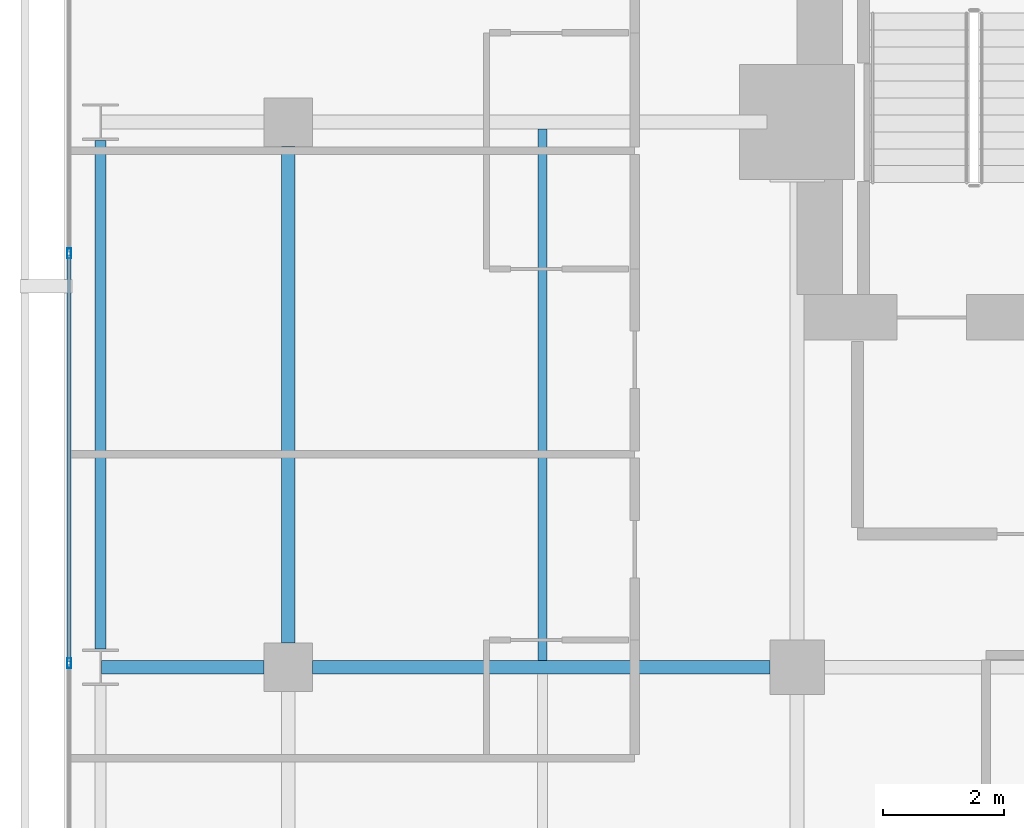
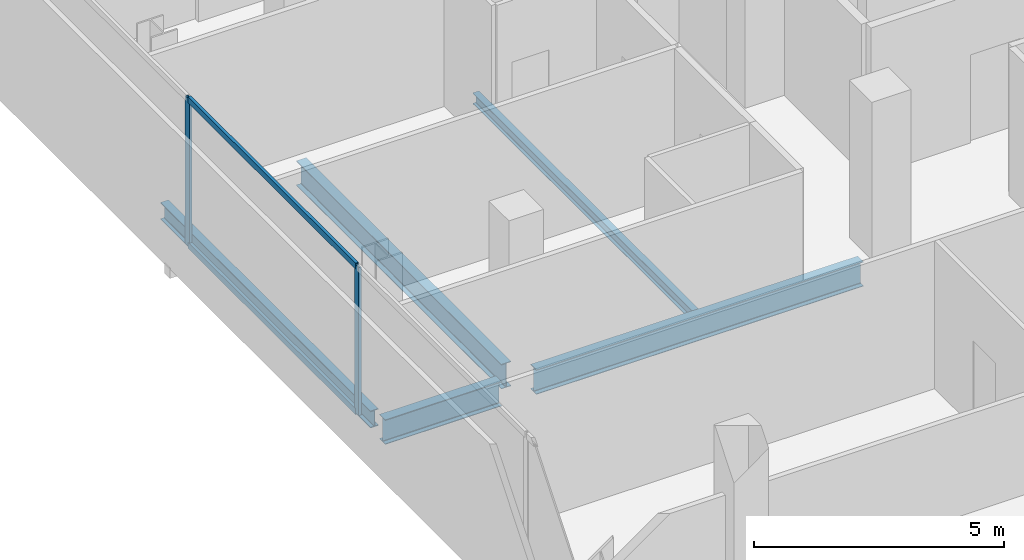
# One storey, part 18 of 34: 5 beams, 4 members, 1 element without a shape of its own.
"""IFC4 building model written with IfcOpenShell, lengths in metres."""

from ifc_helpers import new_model, si_unit, direction, frame, origin, origin_2d, place, context, subcontext, project, spatial, hollow_rectangle, i_section, extrude, material, layer, layer_set, material_profile, profile_set, type_object, element, aggregate, save


model = new_model("IFC4")

# Units and contexts
model_context = context("Model", 3, precision=1e-05, world=origin(), true_north=direction((0.0, 1.0)))
body_context = subcontext(model_context, "Body", "Model", "MODEL_VIEW")
ifc_project = project(units=[si_unit("LENGTHUNIT", "METRE"), si_unit("AREAUNIT", "SQUARE_METRE"), si_unit("VOLUMEUNIT", "CUBIC_METRE"), si_unit("PLANEANGLEUNIT", "RADIAN"), si_unit("MASSUNIT", "GRAM", prefix="KILO")], contexts=[model_context])

# Site, building, storey
site_placement = place(None, origin())
site = spatial("IfcSite", under=ifc_project, at=site_placement, CompositionType="ELEMENT")
building_placement = place(site_placement, origin())
building = spatial("IfcBuilding", under=site, at=building_placement, Name="Maruvema Waterfront Hotel and Observation Tower", CompositionType="ELEMENT")
storey_placement = place(building_placement, frame((0.0, 0.0, 173.60009765625)))
storey = spatial("IfcBuildingStorey", under=building, at=storey_placement, Name="L42", CompositionType="ELEMENT", Elevation=173.60009765625)

# Curtain wall, members
ifc_material_1 = material(Name="Anodised bronze aluminium and solar-control low-E IGU", Category="aluminium")
ifc_layer = layer(ifc_material_1, 0.159912109375, Name="Zone 2 Amber Inner Thermal Curtain Wall System CW-03")
ifc_layer_set = layer_set([ifc_layer], Name="Anodised bronze aluminium and solar-control low-E IGU")
curtain_wall_type = type_object("IfcCurtainWallType", Name="Zone 2 Amber Inner Thermal Curtain Wall System CW-03", PredefinedType="USERDEFINED", material=ifc_layer_set)
curtain_wall_placement = place(storey_placement, origin())
curtain_wall = element("IfcCurtainWall", 1, at=curtain_wall_placement, inside=storey, type_object=curtain_wall_type, Name="L42 Curtain Wall CW-L42-W", ObjectType="UNITISED CURTAIN WALL", PredefinedType="USERDEFINED")
ifc_material_2 = material(Name="Anodised architectural bronze aluminium", Category="aluminium")
ifc_material_profile_1 = material_profile(ifc_material_2, hollow_rectangle(XDim=0.070068359375, YDim=0.14990234375, WallThickness=0.00390625, at=origin_2d()), Name="ALU-T70x150")
ifc_profile_set_1 = profile_set([ifc_material_profile_1], Name="Anodised architectural bronze aluminium")
member_type_1 = type_object("IfcMemberType", Name="Curtain Wall Horizontal Transom ALU-T70x150", PredefinedType="USERDEFINED", material=ifc_profile_set_1)
member_1_placement = place(storey_placement, frame((13.179931640625, 42.80322265625, 0.02978515625), z_axis=(0.0, -1.0, 0.0), x_axis=(1.0, 0.0, 0.0)))
member_1 = element("IfcMember", 2, at=member_1_placement, type_object=member_type_1, Name="CW-03 transom 2.1", ObjectType="TRANSOM", PredefinedType="USERDEFINED", context=body_context, shape_type="SweptSolid", body=[
    extrude(hollow_rectangle(XDim=0.070068359375, YDim=0.14990234375, WallThickness=0.00390625, at=origin_2d()), origin(), (0.0, 0.0, 1.0), 6.70654296875),
])
member_2_placement = place(storey_placement, frame((13.179931640625, 42.80322265625, 3.579833984375), z_axis=(0.0, -1.0, 0.0), x_axis=(1.0, 0.0, 0.0)))
member_2 = element("IfcMember", 3, at=member_2_placement, type_object=member_type_1, Name="CW-03 transom 2.2", ObjectType="TRANSOM", PredefinedType="USERDEFINED", context=body_context, shape_type="SweptSolid", body=[
    extrude(hollow_rectangle(XDim=0.070068359375, YDim=0.14990234375, WallThickness=0.00390625, at=origin_2d()), origin(), (0.0, 0.0, 1.0), 6.70654296875),
])
ifc_material_3 = material(Name="Anodised architectural bronze aluminium", Category="aluminium")
ifc_material_profile_2 = material_profile(ifc_material_3, hollow_rectangle(XDim=0.06494140625, YDim=0.1650390625, WallThickness=0.00390625, at=origin_2d()), Name="ALU-M65x165")
ifc_profile_set_2 = profile_set([ifc_material_profile_2], Name="Anodised architectural bronze aluminium")
member_type_2 = type_object("IfcMemberType", Name="Curtain Wall Primary Mullion ALU-M65x165", PredefinedType="MULLION", material=ifc_profile_set_2)
member_3_placement = place(storey_placement, frame((13.179931640625, 42.833251953125, 0.0), z_axis=(0.0, 0.0, 1.0), x_axis=(1.0, 0.0, 0.0)))
member_3 = element("IfcMember", 4, at=member_3_placement, type_object=member_type_2, Name="CW-03 mullion 2", PredefinedType="MULLION", context=body_context, shape_type="SweptSolid", body=[
    extrude(hollow_rectangle(XDim=0.06494140625, YDim=0.1650390625, WallThickness=0.00390625, at=origin_2d()), origin(), (0.0, 0.0, 1.0), 3.60986328125),
])
member_4_placement = place(storey_placement, frame((13.179931640625, 36.066650390625, 0.0), z_axis=(0.0, 0.0, 1.0), x_axis=(1.0, 0.0, 0.0)))
member_4 = element("IfcMember", 5, at=member_4_placement, type_object=member_type_2, Name="CW-03 mullion 3", PredefinedType="MULLION", context=body_context, shape_type="SweptSolid", body=[
    extrude(hollow_rectangle(XDim=0.06494140625, YDim=0.1650390625, WallThickness=0.00390625, at=origin_2d()), origin(), (0.0, 0.0, 1.0), 3.60986328125),
])
aggregate(curtain_wall, [member_3, member_4, member_1, member_2])

# Beams
ifc_material_4 = material(Name="Steel ASTM A572 Grade 50", Category="steel")
ifc_material_profile_3 = material_profile(ifc_material_4, i_section(OverallWidth=0.180908203125, OverallDepth=0.4169921875, WebThickness=0.010986328125, FlangeThickness=0.018310546875, FilletRadius=0.014892578125, at=origin_2d()), Name="W410x85.0")
ifc_profile_set_3 = profile_set([ifc_material_profile_3], Name="Steel ASTM A572 Grade 50")
beam_type_1 = type_object("IfcBeamType", Name="Perimeter Spandrel Beam W410x85.0", PredefinedType="SPANDREL", material=ifc_profile_set_3)
beam_1_placement = place(storey_placement, frame((13.699951171875, 36.300048828125, -0.448486328125), z_axis=(0.0, 1.0, 0.0), x_axis=(-1.0, 0.0, 0.0)))
element("IfcBeam", 6, at=beam_1_placement, inside=storey, type_object=beam_type_1, Name="L42 Floor Girder NS-04", PredefinedType="SPANDREL", context=body_context, shape_type="SweptSolid", body=[
    extrude(i_section(OverallWidth=0.180908203125, OverallDepth=0.4169921875, WebThickness=0.010986328125, FlangeThickness=0.018310546875, FilletRadius=0.014892578125, at=origin_2d()), origin(), (0.0, 0.0, 1.0), 8.39990234375),
])
ifc_material_5 = material(Name="Steel ASTM A572 Grade 50", Category="steel")
ifc_material_profile_4 = material_profile(ifc_material_5, i_section(OverallWidth=0.22802734375, OverallDepth=0.60302734375, WebThickness=0.010498046875, FlangeThickness=0.014892578125, FilletRadius=0.01806640625, at=origin_2d()), Name="W610x101.0")
ifc_profile_set_4 = profile_set([ifc_material_profile_4], Name="Steel ASTM A572 Grade 50")
beam_type_2 = type_object("IfcBeamType", Name="Primary Floor Girder W610x101.0", PredefinedType="BEAM", material=ifc_profile_set_4)
beam_2_placement = place(storey_placement, frame((13.71240234375, 36.0, -0.54150390625), z_axis=(1.0, 0.0, 0.0), x_axis=(0.0, 1.0, 0.0)))
element("IfcBeam", 7, at=beam_2_placement, inside=storey, type_object=beam_type_2, Name="L42 Floor Girder EW-23", PredefinedType="BEAM", context=body_context, shape_type="SweptSolid", body=[
    extrude(i_section(OverallWidth=0.22802734375, OverallDepth=0.60302734375, WebThickness=0.010498046875, FlangeThickness=0.014892578125, FilletRadius=0.01806640625, at=origin_2d()), origin(), (0.0, 0.0, 1.0), 2.6875),
])
beam_3_placement = place(storey_placement, frame((17.199951171875, 36.0, -0.54150390625), z_axis=(1.0, 0.0, 0.0), x_axis=(0.0, 1.0, 0.0)))
element("IfcBeam", 8, at=beam_3_placement, inside=storey, type_object=beam_type_2, Name="L42 Floor Girder EW-24", PredefinedType="BEAM", context=body_context, shape_type="SweptSolid", body=[
    extrude(i_section(OverallWidth=0.22802734375, OverallDepth=0.60302734375, WebThickness=0.010498046875, FlangeThickness=0.014892578125, FilletRadius=0.01806640625, at=origin_2d()), origin(), (0.0, 0.0, 1.0), 7.550048828125),
])
beam_4_placement = place(storey_placement, frame((16.800048828125, 36.39990234375, -0.54150390625), z_axis=(0.0, 1.0, 0.0), x_axis=(-1.0, 0.0, 0.0)))
element("IfcBeam", 9, at=beam_4_placement, inside=storey, type_object=beam_type_2, Name="L42 Floor Girder NS-08", PredefinedType="BEAM", context=body_context, shape_type="SweptSolid", body=[
    extrude(i_section(OverallWidth=0.22802734375, OverallDepth=0.60302734375, WebThickness=0.010498046875, FlangeThickness=0.014892578125, FilletRadius=0.01806640625, at=origin_2d()), origin(), (0.0, 0.0, 1.0), 8.2001953125),
])
ifc_material_6 = material(Name="Steel ASTM A572 Grade 50", Category="steel")
ifc_material_profile_5 = material_profile(ifc_material_6, i_section(OverallWidth=0.14794921875, OverallDepth=0.26611328125, WebThickness=0.007568359375, FlangeThickness=0.012939453125, FilletRadius=0.012939453125, at=origin_2d()), Name="W250x44.8")
ifc_profile_set_5 = profile_set([ifc_material_profile_5], Name="Steel ASTM A572 Grade 50")
beam_type_3 = type_object("IfcBeamType", Name="Secondary Floor Joist W250x44.8", PredefinedType="JOIST", material=ifc_profile_set_5)
beam_5_placement = place(storey_placement, frame((21.0, 36.114013671875, -0.373046875), z_axis=(0.0, 1.0, 0.0), x_axis=(-1.0, 0.0, 0.0)))
element("IfcBeam", 10, at=beam_5_placement, inside=storey, type_object=beam_type_3, Name="L42 Secondary Floor Joist JS-04", PredefinedType="JOIST", context=body_context, shape_type="SweptSolid", body=[
    extrude(i_section(OverallWidth=0.14794921875, OverallDepth=0.26611328125, WebThickness=0.007568359375, FlangeThickness=0.012939453125, FilletRadius=0.012939453125, at=origin_2d()), origin(), (0.0, 0.0, 1.0), 8.77197265625),
])

save(model, "model.ifc")
